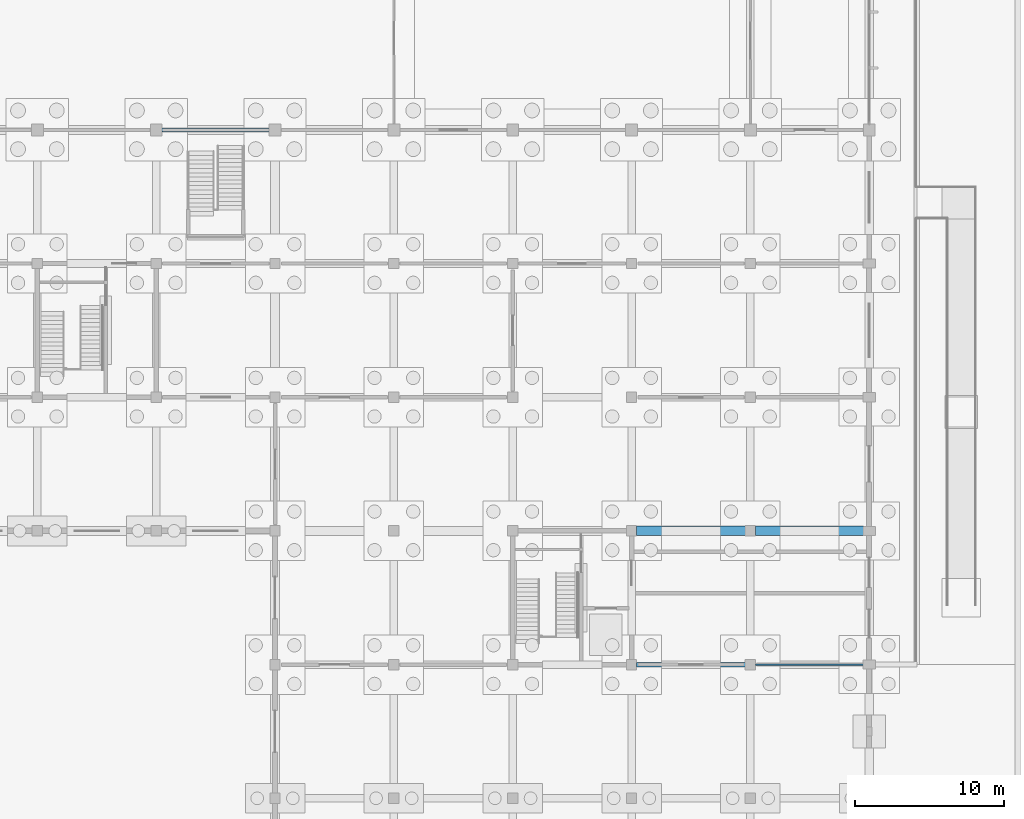
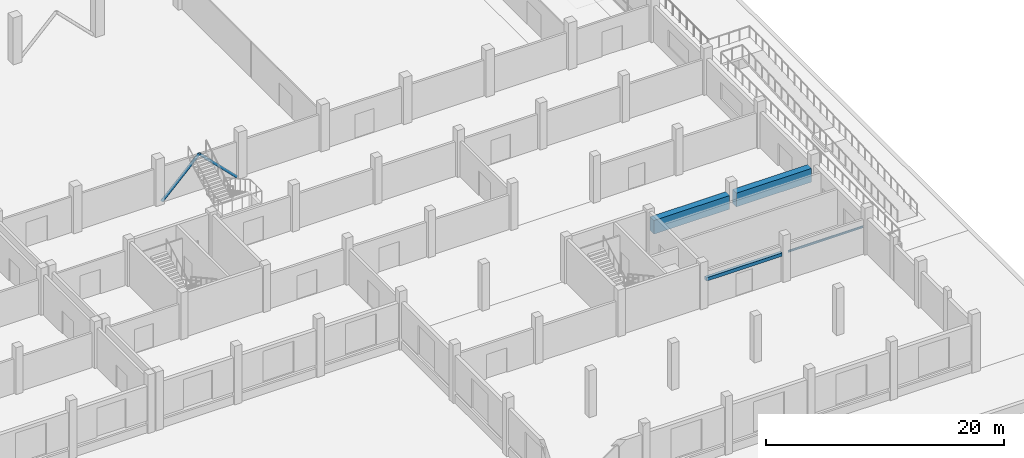
# One storey, part 29 of 72: 4 beams, 2 members.
"""IFC4 building model written with IfcOpenShell, lengths in metres."""

from ifc_helpers import new_model, si_unit, direction, frame, origin, origin_2d, place, context, subcontext, project, spatial, rectangle, hollow_circle, i_section, extrude, material, material_profile, profile_set, type_object, element, save


model = new_model("IFC4")

# Units and contexts
model_context = context("Model", 3, precision=1e-05, world=origin(), true_north=direction((0.0, 1.0)))
body_context = subcontext(model_context, "Body", "Model", "MODEL_VIEW")
ifc_project = project(units=[si_unit("LENGTHUNIT", "METRE"), si_unit("AREAUNIT", "SQUARE_METRE"), si_unit("VOLUMEUNIT", "CUBIC_METRE"), si_unit("PLANEANGLEUNIT", "RADIAN"), si_unit("MASSUNIT", "GRAM", prefix="KILO"), si_unit("THERMODYNAMICTEMPERATUREUNIT", "KELVIN"), si_unit("POWERUNIT", "WATT")], contexts=[model_context])

# Site, building, storey
site_placement = place(None, origin())
site = spatial("IfcSite", under=ifc_project, at=site_placement, CompositionType="ELEMENT")
building_placement = place(site_placement, origin())
building = spatial("IfcBuilding", under=site, at=building_placement, Name="Kronsvod Quay Wholesale Market", CompositionType="ELEMENT")
storey_placement = place(building_placement, origin())
storey = spatial("IfcBuildingStorey", under=building, at=storey_placement, Name="L00", CompositionType="ELEMENT", Elevation=0.0)

# Beams
ifc_material_1 = material(Name="Steel S355", Category="steel")
ifc_material_profile_1 = material_profile(ifc_material_1, i_section(OverallWidth=0.10009765625, OverallDepth=0.199951171875, WebThickness=0.005615234375, FlangeThickness=0.008056640625, FilletRadius=0.009033203125, at=origin_2d()), Name="20B1")
ifc_profile_set_1 = profile_set([ifc_material_profile_1], Name="Steel S355")
beam_type_1 = type_object("IfcBeamType", Name="Beam_Steel20B1", PredefinedType="LINTEL", material=ifc_profile_set_1)
beam_1_placement = place(storey_placement, frame((184.330078125, 18.0, 2.75), z_axis=(1.0, 0.0, 0.0), x_axis=(0.0, 1.0, 0.0)))
element("IfcBeam", 1, at=beam_1_placement, inside=storey, type_object=beam_type_1, Name="TG-PLT-04", PredefinedType="LINTEL", context=body_context, shape_type="SweptSolid", body=[
    extrude(i_section(OverallWidth=0.10009765625, OverallDepth=0.199951171875, WebThickness=0.005615234375, FlangeThickness=0.008056640625, FilletRadius=0.009033203125, at=origin_2d()), origin(), (0.0, 0.0, 1.0), 7.280029296875),
])
ifc_material_2 = material(Name="Precast concrete C40/50", Category="concrete")
ifc_material_profile_2 = material_profile(ifc_material_2, rectangle(XDim=0.64990234375, YDim=1.39990234375, at=origin_2d()), Name="PCTB650x1400")
ifc_profile_set_2 = profile_set([ifc_material_profile_2], Name="Precast concrete C40/50")
beam_type_2 = type_object("IfcBeamType", Name="Girder_PCTB650x1400", PredefinedType="T_BEAM", material=ifc_profile_set_2)
beam_2_placement = place(storey_placement, frame((176.330078125, 27.0, 2.75), z_axis=(1.0, 0.0, 0.0), x_axis=(0.0, 1.0, 0.0)))
element("IfcBeam", 2, at=beam_2_placement, inside=storey, type_object=beam_type_2, Name="TG-PLT-01", PredefinedType="T_BEAM", context=body_context, shape_type="SweptSolid", body=[
    extrude(rectangle(XDim=0.64990234375, YDim=1.39990234375, at=origin_2d()), origin(), (0.0, 0.0, 1.0), 7.33984375),
])
beam_3_placement = place(storey_placement, frame((184.330078125, 27.0, 2.75), z_axis=(1.0, 0.0, 0.0), x_axis=(0.0, 1.0, 0.0)))
element("IfcBeam", 3, at=beam_3_placement, inside=storey, type_object=beam_type_2, Name="TG-PLT-02", PredefinedType="T_BEAM", context=body_context, shape_type="SweptSolid", body=[
    extrude(rectangle(XDim=0.64990234375, YDim=1.39990234375, at=origin_2d()), origin(), (0.0, 0.0, 1.0), 7.280029296875),
])
ifc_material_3 = material(Name="Precast concrete C40/50", Category="concrete")
ifc_material_profile_3 = material_profile(ifc_material_3, rectangle(XDim=0.300048828125, YDim=0.35009765625, at=origin_2d()), Name="PCLN300x350")
ifc_profile_set_3 = profile_set([ifc_material_profile_3], Name="Precast concrete C40/50")
beam_type_3 = type_object("IfcBeamType", Name="Lintel_PCLN300x350", PredefinedType="LINTEL", material=ifc_profile_set_3)
beam_4_placement = place(storey_placement, frame((176.330078125, 18.0, 2.75), z_axis=(1.0, 0.0, 0.0), x_axis=(0.0, 1.0, 0.0)))
element("IfcBeam", 4, at=beam_4_placement, inside=storey, type_object=beam_type_3, Name="TG-PLT-03", PredefinedType="LINTEL", context=body_context, shape_type="SweptSolid", body=[
    extrude(rectangle(XDim=0.300048828125, YDim=0.35009765625, at=origin_2d()), origin(), (0.0, 0.0, 1.0), 7.33984375),
])

# Members
ifc_material_4 = material(Name="Steel S355", Category="steel")
ifc_material_profile_4 = material_profile(ifc_material_4, hollow_circle(Radius=0.136474609375, WallThickness=0.010009765625, at=origin_2d()), Name="CHS273x10")
ifc_profile_set_4 = profile_set([ifc_material_profile_4], Name="Steel S355")
member_type = type_object("IfcMemberType", Name="Member_Brace273x10", PredefinedType="BRACE", material=ifc_profile_set_4)
for number, where, z_axis, x_axis, name in (
    (5, (144.389892578125, 54.0, 0.050048828125), (0.708111702507, 0.0, 0.706100429665), (0.0, 1.0, 0.0), "BRCG-L00-1440-540-A"),
    (6, (151.610107421875, 54.0, 0.050048828125), (-0.708111702507, 0.0, 0.706100429665), (0.0, -1.0, 0.0), "BRCG-L00-1440-540-B"),
):
    element("IfcMember", number, at=place(storey_placement, frame(where, z_axis=z_axis, x_axis=x_axis)), inside=storey, type_object=member_type, Name=name, PredefinedType="BRACE", context=body_context, shape_type="SweptSolid", body=[
        extrude(hollow_circle(Radius=0.136474609375, WallThickness=0.010009765625, at=origin_2d()), origin(), (0.0, 0.0, 1.0), 5.09814453125),
    ])

save(model, "model.ifc")
